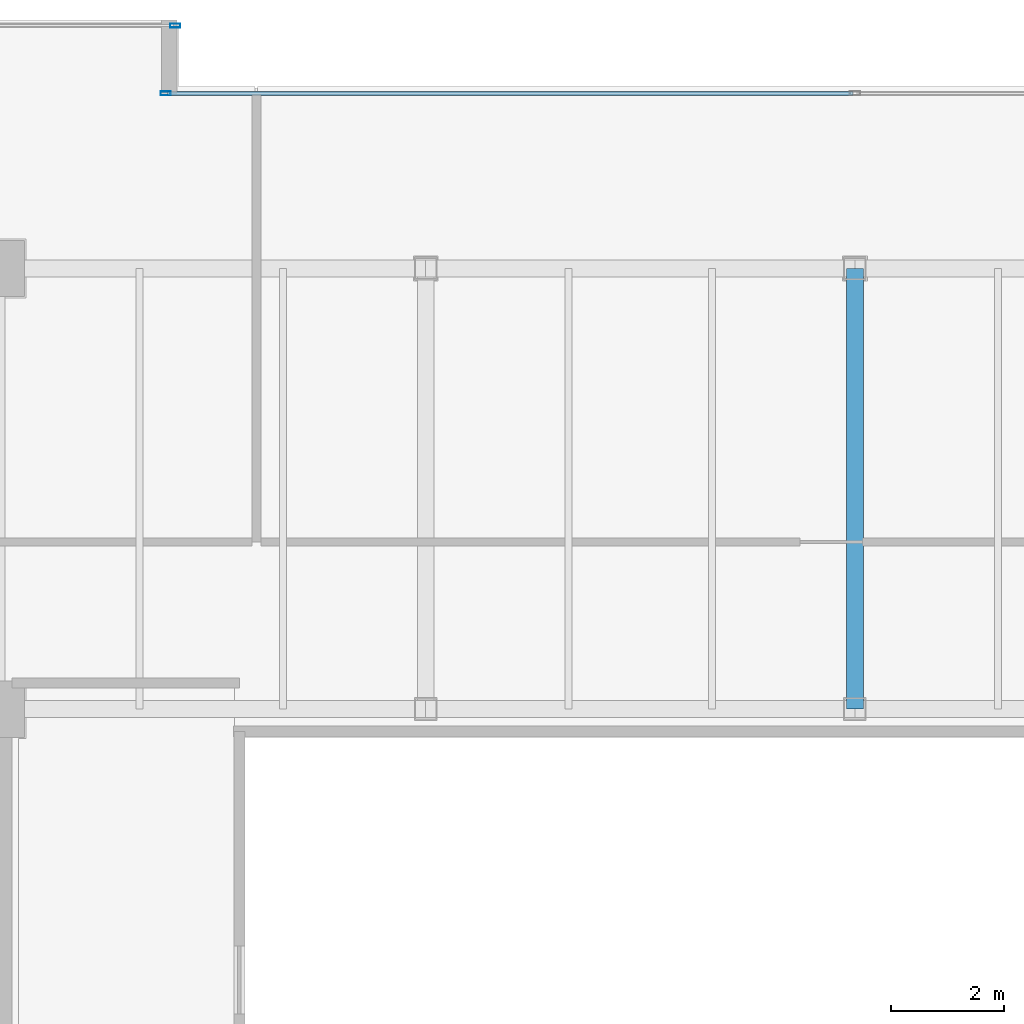
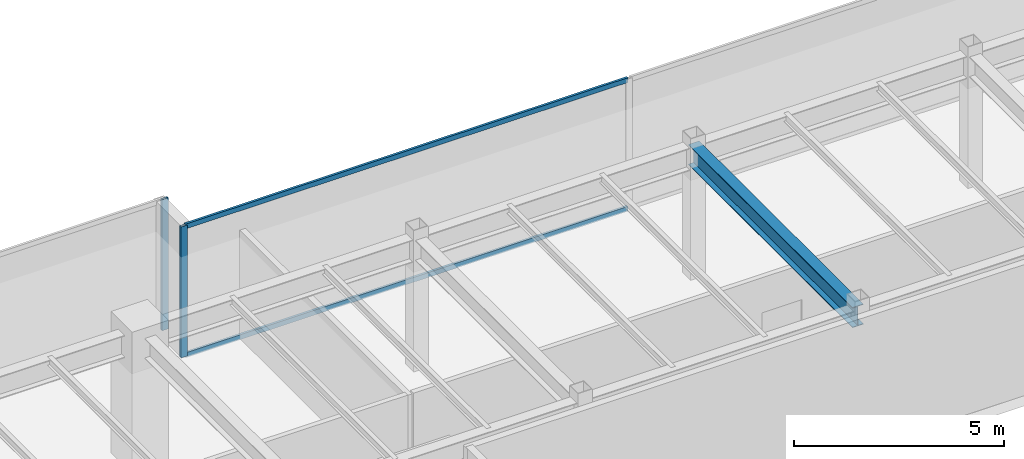
# One storey, part 17 of 36: 4 members, 1 beam, 2 elements without a shape of their own.
"""IFC4 building model written with IfcOpenShell, lengths in metres."""

from ifc_helpers import new_model, si_unit, direction, frame, origin, origin_2d, place, context, subcontext, project, spatial, hollow_rectangle, i_section, extrude, source, transform, mapped, material, layer, layer_set, material_profile, profile_set, type_object, type_shapes, element, aggregate, save


model = new_model("IFC4")

# Units and contexts
model_context = context("Model", 3, precision=1e-05, world=origin(), true_north=direction((0.0, 1.0)))
body_context = subcontext(model_context, "Body", "Model", "MODEL_VIEW")
ifc_project = project(units=[si_unit("LENGTHUNIT", "METRE"), si_unit("AREAUNIT", "SQUARE_METRE"), si_unit("VOLUMEUNIT", "CUBIC_METRE"), si_unit("PLANEANGLEUNIT", "RADIAN"), si_unit("MASSUNIT", "GRAM", prefix="KILO")], contexts=[model_context])

# Site, building, storey
site_placement = place(None, origin())
site = spatial("IfcSite", under=ifc_project, at=site_placement, CompositionType="ELEMENT")
building_placement = place(site_placement, origin())
building = spatial("IfcBuilding", under=site, at=building_placement, Name="Haelvirn Gate Laboratories", CompositionType="ELEMENT")
storey_placement = place(building_placement, frame((0.0, 0.0, 262.89990234375)))
storey = spatial("IfcBuildingStorey", under=building, at=storey_placement, Name="L63", CompositionType="ELEMENT", Elevation=262.89990234375)

# Beam
ifc_material_1 = material(Name="Steel SM355", Category="steel")
ifc_material_profile_1 = material_profile(ifc_material_1, i_section(OverallWidth=0.300048828125, OverallDepth=0.587890625, WebThickness=0.011962890625, FlangeThickness=0.02001953125, at=origin_2d()), Name="H-588x300x12x20")
ifc_profile_set_1 = profile_set([ifc_material_profile_1], Name="Steel SM355")
beam_type = type_object("IfcBeamType", Name="BM-G-588", PredefinedType="BEAM", material=ifc_profile_set_1)
shared_shape_1 = source(origin(), body_context, "Body", "SweptSolid", [
    extrude(i_section(OverallWidth=0.300048828125, OverallDepth=0.587890625, WebThickness=0.011962890625, FlangeThickness=0.02001953125, at=origin_2d()), origin(), (0.0, 0.0, 1.0), 7.800048828125),
])
type_shapes(beam_type, [shared_shape_1])
beam_placement = place(storey_placement, frame((37.39990234375, 33.800048828125, 3.506103515625), z_axis=(0.0, 1.0, 0.0), x_axis=(-1.0, 0.0, 0.0)))
element("IfcBeam", 1, at=beam_placement, inside=storey, type_object=beam_type, Name="L63 Frame Girder X37.4 (33.8-41.6)", PredefinedType="BEAM", context=body_context, shape_type="MappedRepresentation", body=[
    mapped(shared_shape_1, transform((0.0, 0.0, 0.0), scale=1.0)),
])

# Curtain wall, members
ifc_material_2 = material(Name="Anodised bronze unitised aluminium & triple low-E glass", Category="aluminium")
ifc_layer = layer(ifc_material_2, 0.176025390625, Name="CW-SYS-4")
ifc_layer_set = layer_set([ifc_layer], Name="Anodised bronze unitised aluminium & triple low-E glass")
curtain_wall_type = type_object("IfcCurtainWallType", Name="CW-SYS-4", PredefinedType="NOTDEFINED", material=ifc_layer_set)
curtain_wall_1_placement = place(storey_placement, origin())
curtain_wall_1 = element("IfcCurtainWall", 2, at=curtain_wall_1_placement, inside=storey, type_object=curtain_wall_type, Name="L63 Unitised Curtain Wall CW-L63-P0-E12-1", PredefinedType="NOTDEFINED")
ifc_material_3 = material(Name="Extruded aluminium 6063-T6 (anodised bronze)", Category="aluminium")
ifc_material_profile_2 = material_profile(ifc_material_3, hollow_rectangle(XDim=0.06494140625, YDim=0.139892578125, WallThickness=0.00390625, at=origin_2d()), Name="CWT-140x65x4")
ifc_profile_set_2 = profile_set([ifc_material_profile_2], Name="Extruded aluminium 6063-T6 (anodised bronze)")
member_type_1 = type_object("IfcMemberType", Name="CWT-T140", PredefinedType="USERDEFINED", material=ifc_profile_set_2)
shared_shape_2 = source(origin(), body_context, "Body", "SweptSolid", [
    extrude(hollow_rectangle(XDim=0.06494140625, YDim=0.139892578125, WallThickness=0.00390625, at=origin_2d()), origin(), (0.0, 0.0, 1.0), 12.135009765625),
])
type_shapes(member_type_1, [shared_shape_2])
member_1_placement = place(storey_placement, frame((25.22998046875, 44.699951171875, 0.03271484375), z_axis=(1.0, 0.0, 0.0), x_axis=(0.0, 1.0, 0.0)))
member_1 = element("IfcMember", 3, at=member_1_placement, type_object=member_type_1, Name="CW4 transom 1.1", ObjectType="TRANSOM", PredefinedType="USERDEFINED", context=body_context, shape_type="MappedRepresentation", body=[
    mapped(shared_shape_2, transform((0.0, 0.0, 0.0), scale=1.0)),
])
member_2_placement = place(storey_placement, frame((25.22998046875, 44.699951171875, 3.767578125), z_axis=(1.0, 0.0, 0.0), x_axis=(0.0, 1.0, 0.0)))
member_2 = element("IfcMember", 4, at=member_2_placement, type_object=member_type_1, Name="CW4 transom 1.2", ObjectType="TRANSOM", PredefinedType="USERDEFINED", context=body_context, shape_type="MappedRepresentation", body=[
    mapped(shared_shape_2, transform((0.0, 0.0, 0.0), scale=1.0)),
])
ifc_material_profile_3 = material_profile(ifc_material_3, hollow_rectangle(XDim=0.070068359375, YDim=0.179931640625, WallThickness=0.0048828125, at=origin_2d()), Name="CWM-180x70x5")
ifc_profile_set_3 = profile_set([ifc_material_profile_3], Name="Extruded aluminium 6063-T6 (anodised bronze)")
member_type_2 = type_object("IfcMemberType", Name="CWM-T180", PredefinedType="MULLION", material=ifc_profile_set_3)
shared_shape_3 = source(origin(), body_context, "Body", "SweptSolid", [
    extrude(hollow_rectangle(XDim=0.070068359375, YDim=0.179931640625, WallThickness=0.0048828125, at=origin_2d()), origin(), (0.0, 0.0, 1.0), 3.800048828125),
])
type_shapes(member_type_2, [shared_shape_3])
member_3_placement = place(storey_placement, frame((25.195068359375, 44.699951171875, 0.0), z_axis=(0.0, 0.0, 1.0), x_axis=(0.0, 1.0, 0.0)))
member_3 = element("IfcMember", 5, at=member_3_placement, type_object=member_type_2, Name="CW4 mullion 1", PredefinedType="MULLION", context=body_context, shape_type="MappedRepresentation", body=[
    mapped(shared_shape_3, transform((0.0, 0.0, 0.0), scale=1.0)),
])
aggregate(curtain_wall_1, [member_3, member_1, member_2])

# Curtain wall, member
curtain_wall_2_placement = place(storey_placement, origin())
curtain_wall_2 = element("IfcCurtainWall", 6, at=curtain_wall_2_placement, inside=storey, type_object=curtain_wall_type, Name="L63 Unitised Curtain Wall CW-L63-P0-E14-1", PredefinedType="NOTDEFINED")
member_4_placement = place(storey_placement, frame((25.364990234375, 45.89990234375, 0.0), z_axis=(0.0, 0.0, 1.0), x_axis=(0.0, 1.0, 0.0)))
member_4 = element("IfcMember", 7, at=member_4_placement, type_object=member_type_2, Name="CW4 mullion 3", PredefinedType="MULLION", context=body_context, shape_type="MappedRepresentation", body=[
    mapped(shared_shape_3, transform((0.0, 0.0, 0.0), scale=1.0)),
])
aggregate(curtain_wall_2, [member_4])

save(model, "model.ifc")
